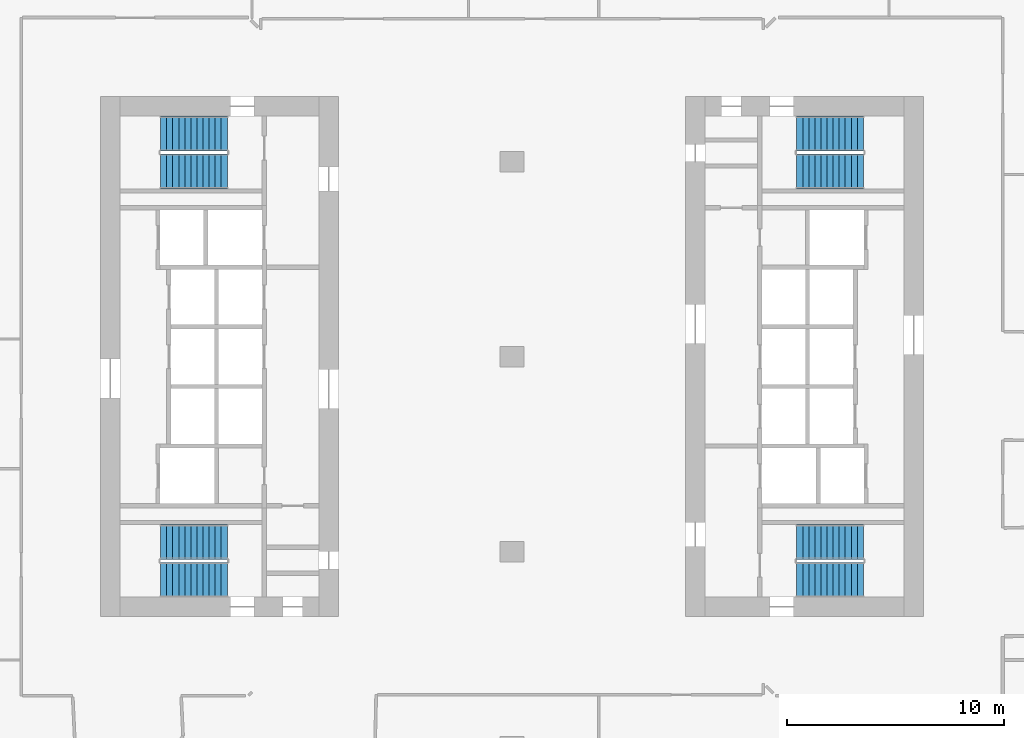
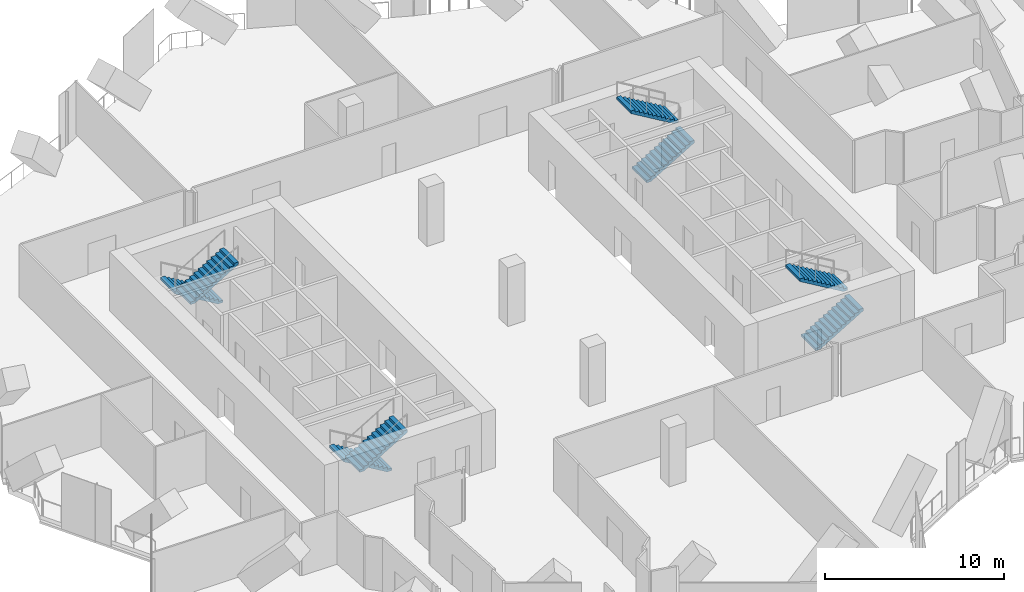
# One storey, part 33 of 37: 8 stair flights, 4 elements without a shape of their own.
"""IFC4 building model written with IfcOpenShell, lengths in metres."""

from ifc_helpers import new_model, si_unit, direction, frame, origin, place, context, subcontext, project, spatial, polyline, outline, extrude, material, type_object, element, aggregate, save


model = new_model("IFC4")

# Units and contexts
model_context = context("Model", 3, precision=1e-05, world=origin(), true_north=direction((0.0, 1.0)))
body_context = subcontext(model_context, "Body", "Model", "MODEL_VIEW")
ifc_project = project(units=[si_unit("LENGTHUNIT", "METRE"), si_unit("AREAUNIT", "SQUARE_METRE"), si_unit("VOLUMEUNIT", "CUBIC_METRE"), si_unit("PLANEANGLEUNIT", "RADIAN"), si_unit("MASSUNIT", "GRAM", prefix="KILO")], contexts=[model_context])

# Site, building, storey
site_placement = place(None, origin())
site = spatial("IfcSite", under=ifc_project, at=site_placement, CompositionType="ELEMENT")
building_placement = place(site_placement, origin())
building = spatial("IfcBuilding", under=site, at=building_placement, Name="Orlundy Tower", CompositionType="ELEMENT")
storey_placement = place(building_placement, frame((0.0, 0.0, 119.699951171875)))
storey = spatial("IfcBuildingStorey", under=building, at=storey_placement, Name="L30", CompositionType="ELEMENT", Elevation=119.699951171875)

# Stair, stair flights
ifc_material_1 = material(Name="Concrete C50/60", Category="concrete")
stair_type = type_object("IfcStairType", Name="Exit Stair 24 risers", PredefinedType="HALF_TURN_STAIR", material=ifc_material_1)
stair_1_placement = place(storey_placement, origin())
stair_1 = element("IfcStair", 1, at=stair_1_placement, inside=storey, type_object=stair_type, Name="L30 Exit Stair ST-W1", PredefinedType="HALF_TURN_STAIR")
ifc_material_2 = material(Name="Concrete C50/60", Category="concrete")
stair_flight_type = type_object("IfcStairFlightType", Name="Stair Flight 12 risers", PredefinedType="STRAIGHT", material=ifc_material_2)
stair_flight_1_placement = place(storey_placement, frame((-13.139892578125, 10.300048828125, 0.0), z_axis=(0.0, 0.0, 1.0), x_axis=(-1.0, 0.0, 0.0)))
stair_flight_1 = element("IfcStairFlight", 2, at=stair_flight_1_placement, type_object=stair_flight_type, Name="ST-W1 flight 1", NumberOfRisers=12, NumberOfTreads=11, PredefinedType="STRAIGHT", RiserHeight=0.166666667, TreadLength=0.28, context=body_context, shape_type="SweptSolid", body=[
    extrude(outline(polyline([(0.0, 0.0), (0.0, 0.166748046875), (0.280029296875, 0.166748046875), (0.280029296875, 0.333251953125), (0.56005859375, 0.333251953125), (0.56005859375, 0.5), (0.840087890625, 0.5), (0.840087890625, 0.666748046875), (1.1201171875, 0.666748046875), (1.1201171875, 0.833251953125), (1.39990234375, 0.833251953125), (1.39990234375, 1.0), (1.679931640625, 1.0), (1.679931640625, 1.166748046875), (1.9599609375, 1.166748046875), (1.9599609375, 1.333251953125), (2.239990234375, 1.333251953125), (2.239990234375, 1.5), (2.52001953125, 1.5), (2.52001953125, 1.666748046875), (2.800048828125, 1.666748046875), (2.800048828125, 1.833251953125), (3.080078125, 1.833251953125), (3.080078125, 2.0), (3.080078125, 1.658935546875), (0.29296875, 0.0), (0.0, 0.0)])), frame((0.0, 0.800048828125, 0.0), z_axis=(0.0, -1.0, 0.0), x_axis=(1.0, 0.0, 0.0)), (0.0, 0.0, 1.0), 1.60009765625),
])
stair_flight_2_placement = place(storey_placement, frame((-16.219970703125, 8.550048828125, 2.0), z_axis=(0.0, 0.0, 1.0), x_axis=(1.0, 0.0, 0.0)))
stair_flight_2 = element("IfcStairFlight", 3, at=stair_flight_2_placement, type_object=stair_flight_type, Name="ST-W1 flight 2", NumberOfRisers=12, NumberOfTreads=11, PredefinedType="STRAIGHT", RiserHeight=0.166666667, TreadLength=0.28, context=body_context, shape_type="SweptSolid", body=[
    extrude(outline(polyline([(0.0, 0.0), (0.0, 0.166748046875), (0.280029296875, 0.166748046875), (0.280029296875, 0.333251953125), (0.56005859375, 0.333251953125), (0.56005859375, 0.5), (0.840087890625, 0.5), (0.840087890625, 0.666748046875), (1.1201171875, 0.666748046875), (1.1201171875, 0.833251953125), (1.39990234375, 0.833251953125), (1.39990234375, 1.0), (1.679931640625, 1.0), (1.679931640625, 1.166748046875), (1.9599609375, 1.166748046875), (1.9599609375, 1.333251953125), (2.239990234375, 1.333251953125), (2.239990234375, 1.5), (2.52001953125, 1.5), (2.52001953125, 1.666748046875), (2.800048828125, 1.666748046875), (2.800048828125, 1.833251953125), (3.080078125, 1.833251953125), (3.080078125, 2.0), (3.080078125, 1.658935546875), (0.29296875, 0.0), (0.0, 0.0)])), frame((0.0, 0.800048828125, 0.0), z_axis=(0.0, -1.0, 0.0), x_axis=(1.0, 0.0, 0.0)), (0.0, 0.0, 1.0), 1.60009765625),
])
aggregate(stair_1, [stair_flight_1, stair_flight_2])

stair_2_placement = place(storey_placement, origin())
stair_2 = element("IfcStair", 4, at=stair_2_placement, inside=storey, type_object=stair_type, Name="L30 Exit Stair ST-W2", PredefinedType="HALF_TURN_STAIR")
stair_flight_3_placement = place(storey_placement, frame((-13.139892578125, -8.550048828125, 0.0), z_axis=(0.0, 0.0, 1.0), x_axis=(-1.0, 0.0, 0.0)))
stair_flight_3 = element("IfcStairFlight", 5, at=stair_flight_3_placement, type_object=stair_flight_type, Name="ST-W2 flight 1", NumberOfRisers=12, NumberOfTreads=11, PredefinedType="STRAIGHT", RiserHeight=0.166666667, TreadLength=0.28, context=body_context, shape_type="SweptSolid", body=[
    extrude(outline(polyline([(0.0, 0.0), (0.0, 0.166748046875), (0.280029296875, 0.166748046875), (0.280029296875, 0.333251953125), (0.56005859375, 0.333251953125), (0.56005859375, 0.5), (0.840087890625, 0.5), (0.840087890625, 0.666748046875), (1.1201171875, 0.666748046875), (1.1201171875, 0.833251953125), (1.39990234375, 0.833251953125), (1.39990234375, 1.0), (1.679931640625, 1.0), (1.679931640625, 1.166748046875), (1.9599609375, 1.166748046875), (1.9599609375, 1.333251953125), (2.239990234375, 1.333251953125), (2.239990234375, 1.5), (2.52001953125, 1.5), (2.52001953125, 1.666748046875), (2.800048828125, 1.666748046875), (2.800048828125, 1.833251953125), (3.080078125, 1.833251953125), (3.080078125, 2.0), (3.080078125, 1.658935546875), (0.29296875, 0.0), (0.0, 0.0)])), frame((0.0, 0.800048828125, 0.0), z_axis=(0.0, -1.0, 0.0), x_axis=(1.0, 0.0, 0.0)), (0.0, 0.0, 1.0), 1.60009765625),
])
stair_flight_4_placement = place(storey_placement, frame((-16.219970703125, -10.300048828125, 2.0), z_axis=(0.0, 0.0, 1.0), x_axis=(1.0, 0.0, 0.0)))
stair_flight_4 = element("IfcStairFlight", 6, at=stair_flight_4_placement, type_object=stair_flight_type, Name="ST-W2 flight 2", NumberOfRisers=12, NumberOfTreads=11, PredefinedType="STRAIGHT", RiserHeight=0.166666667, TreadLength=0.28, context=body_context, shape_type="SweptSolid", body=[
    extrude(outline(polyline([(0.0, 0.0), (0.0, 0.166748046875), (0.280029296875, 0.166748046875), (0.280029296875, 0.333251953125), (0.56005859375, 0.333251953125), (0.56005859375, 0.5), (0.840087890625, 0.5), (0.840087890625, 0.666748046875), (1.1201171875, 0.666748046875), (1.1201171875, 0.833251953125), (1.39990234375, 0.833251953125), (1.39990234375, 1.0), (1.679931640625, 1.0), (1.679931640625, 1.166748046875), (1.9599609375, 1.166748046875), (1.9599609375, 1.333251953125), (2.239990234375, 1.333251953125), (2.239990234375, 1.5), (2.52001953125, 1.5), (2.52001953125, 1.666748046875), (2.800048828125, 1.666748046875), (2.800048828125, 1.833251953125), (3.080078125, 1.833251953125), (3.080078125, 2.0), (3.080078125, 1.658935546875), (0.29296875, 0.0), (0.0, 0.0)])), frame((0.0, 0.800048828125, 0.0), z_axis=(0.0, -1.0, 0.0), x_axis=(1.0, 0.0, 0.0)), (0.0, 0.0, 1.0), 1.60009765625),
])
aggregate(stair_2, [stair_flight_3, stair_flight_4])

stair_3_placement = place(storey_placement, origin())
stair_3 = element("IfcStair", 7, at=stair_3_placement, inside=storey, type_object=stair_type, Name="L30 Exit Stair ST-E1", PredefinedType="HALF_TURN_STAIR")
stair_flight_5_placement = place(storey_placement, frame((13.139892578125, -10.300048828125, 0.0), z_axis=(0.0, 0.0, 1.0), x_axis=(1.0, 0.0, 0.0)))
stair_flight_5 = element("IfcStairFlight", 8, at=stair_flight_5_placement, type_object=stair_flight_type, Name="ST-E1 flight 1", NumberOfRisers=12, NumberOfTreads=11, PredefinedType="STRAIGHT", RiserHeight=0.166666667, TreadLength=0.28, context=body_context, shape_type="SweptSolid", body=[
    extrude(outline(polyline([(0.0, 0.0), (0.0, 0.166748046875), (0.280029296875, 0.166748046875), (0.280029296875, 0.333251953125), (0.56005859375, 0.333251953125), (0.56005859375, 0.5), (0.840087890625, 0.5), (0.840087890625, 0.666748046875), (1.1201171875, 0.666748046875), (1.1201171875, 0.833251953125), (1.39990234375, 0.833251953125), (1.39990234375, 1.0), (1.679931640625, 1.0), (1.679931640625, 1.166748046875), (1.9599609375, 1.166748046875), (1.9599609375, 1.333251953125), (2.239990234375, 1.333251953125), (2.239990234375, 1.5), (2.52001953125, 1.5), (2.52001953125, 1.666748046875), (2.800048828125, 1.666748046875), (2.800048828125, 1.833251953125), (3.080078125, 1.833251953125), (3.080078125, 2.0), (3.080078125, 1.658935546875), (0.29296875, 0.0), (0.0, 0.0)])), frame((0.0, 0.800048828125, 0.0), z_axis=(0.0, -1.0, 0.0), x_axis=(1.0, 0.0, 0.0)), (0.0, 0.0, 1.0), 1.60009765625),
])
stair_flight_6_placement = place(storey_placement, frame((16.219970703125, -8.550048828125, 2.0), z_axis=(0.0, 0.0, 1.0), x_axis=(-1.0, 0.0, 0.0)))
stair_flight_6 = element("IfcStairFlight", 9, at=stair_flight_6_placement, type_object=stair_flight_type, Name="ST-E1 flight 2", NumberOfRisers=12, NumberOfTreads=11, PredefinedType="STRAIGHT", RiserHeight=0.166666667, TreadLength=0.28, context=body_context, shape_type="SweptSolid", body=[
    extrude(outline(polyline([(0.0, 0.0), (0.0, 0.166748046875), (0.280029296875, 0.166748046875), (0.280029296875, 0.333251953125), (0.56005859375, 0.333251953125), (0.56005859375, 0.5), (0.840087890625, 0.5), (0.840087890625, 0.666748046875), (1.1201171875, 0.666748046875), (1.1201171875, 0.833251953125), (1.39990234375, 0.833251953125), (1.39990234375, 1.0), (1.679931640625, 1.0), (1.679931640625, 1.166748046875), (1.9599609375, 1.166748046875), (1.9599609375, 1.333251953125), (2.239990234375, 1.333251953125), (2.239990234375, 1.5), (2.52001953125, 1.5), (2.52001953125, 1.666748046875), (2.800048828125, 1.666748046875), (2.800048828125, 1.833251953125), (3.080078125, 1.833251953125), (3.080078125, 2.0), (3.080078125, 1.658935546875), (0.29296875, 0.0), (0.0, 0.0)])), frame((0.0, 0.800048828125, 0.0), z_axis=(0.0, -1.0, 0.0), x_axis=(1.0, 0.0, 0.0)), (0.0, 0.0, 1.0), 1.60009765625),
])
aggregate(stair_3, [stair_flight_5, stair_flight_6])

stair_4_placement = place(storey_placement, origin())
stair_4 = element("IfcStair", 10, at=stair_4_placement, inside=storey, type_object=stair_type, Name="L30 Exit Stair ST-E2", PredefinedType="HALF_TURN_STAIR")
stair_flight_7_placement = place(storey_placement, frame((13.139892578125, 8.550048828125, 0.0), z_axis=(0.0, 0.0, 1.0), x_axis=(1.0, 0.0, 0.0)))
stair_flight_7 = element("IfcStairFlight", 11, at=stair_flight_7_placement, type_object=stair_flight_type, Name="ST-E2 flight 1", NumberOfRisers=12, NumberOfTreads=11, PredefinedType="STRAIGHT", RiserHeight=0.166666667, TreadLength=0.28, context=body_context, shape_type="SweptSolid", body=[
    extrude(outline(polyline([(0.0, 0.0), (0.0, 0.166748046875), (0.280029296875, 0.166748046875), (0.280029296875, 0.333251953125), (0.56005859375, 0.333251953125), (0.56005859375, 0.5), (0.840087890625, 0.5), (0.840087890625, 0.666748046875), (1.1201171875, 0.666748046875), (1.1201171875, 0.833251953125), (1.39990234375, 0.833251953125), (1.39990234375, 1.0), (1.679931640625, 1.0), (1.679931640625, 1.166748046875), (1.9599609375, 1.166748046875), (1.9599609375, 1.333251953125), (2.239990234375, 1.333251953125), (2.239990234375, 1.5), (2.52001953125, 1.5), (2.52001953125, 1.666748046875), (2.800048828125, 1.666748046875), (2.800048828125, 1.833251953125), (3.080078125, 1.833251953125), (3.080078125, 2.0), (3.080078125, 1.658935546875), (0.29296875, 0.0), (0.0, 0.0)])), frame((0.0, 0.800048828125, 0.0), z_axis=(0.0, -1.0, 0.0), x_axis=(1.0, 0.0, 0.0)), (0.0, 0.0, 1.0), 1.60009765625),
])
stair_flight_8_placement = place(storey_placement, frame((16.219970703125, 10.300048828125, 2.0), z_axis=(0.0, 0.0, 1.0), x_axis=(-1.0, 0.0, 0.0)))
stair_flight_8 = element("IfcStairFlight", 12, at=stair_flight_8_placement, type_object=stair_flight_type, Name="ST-E2 flight 2", NumberOfRisers=12, NumberOfTreads=11, PredefinedType="STRAIGHT", RiserHeight=0.166666667, TreadLength=0.28, context=body_context, shape_type="SweptSolid", body=[
    extrude(outline(polyline([(0.0, 0.0), (0.0, 0.166748046875), (0.280029296875, 0.166748046875), (0.280029296875, 0.333251953125), (0.56005859375, 0.333251953125), (0.56005859375, 0.5), (0.840087890625, 0.5), (0.840087890625, 0.666748046875), (1.1201171875, 0.666748046875), (1.1201171875, 0.833251953125), (1.39990234375, 0.833251953125), (1.39990234375, 1.0), (1.679931640625, 1.0), (1.679931640625, 1.166748046875), (1.9599609375, 1.166748046875), (1.9599609375, 1.333251953125), (2.239990234375, 1.333251953125), (2.239990234375, 1.5), (2.52001953125, 1.5), (2.52001953125, 1.666748046875), (2.800048828125, 1.666748046875), (2.800048828125, 1.833251953125), (3.080078125, 1.833251953125), (3.080078125, 2.0), (3.080078125, 1.658935546875), (0.29296875, 0.0), (0.0, 0.0)])), frame((0.0, 0.800048828125, 0.0), z_axis=(0.0, -1.0, 0.0), x_axis=(1.0, 0.0, 0.0)), (0.0, 0.0, 1.0), 1.60009765625),
])
aggregate(stair_4, [stair_flight_7, stair_flight_8])

save(model, "model.ifc")
